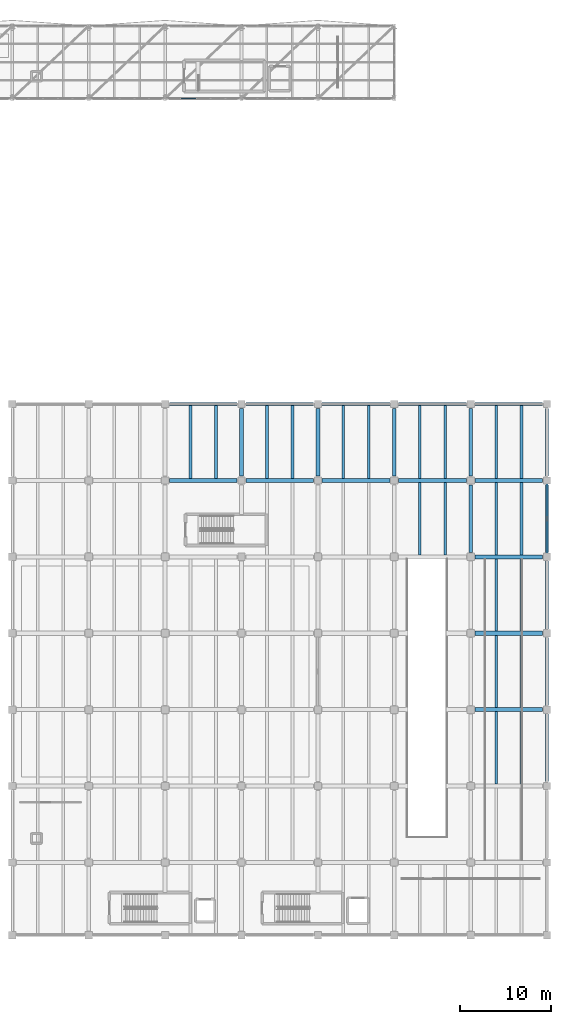
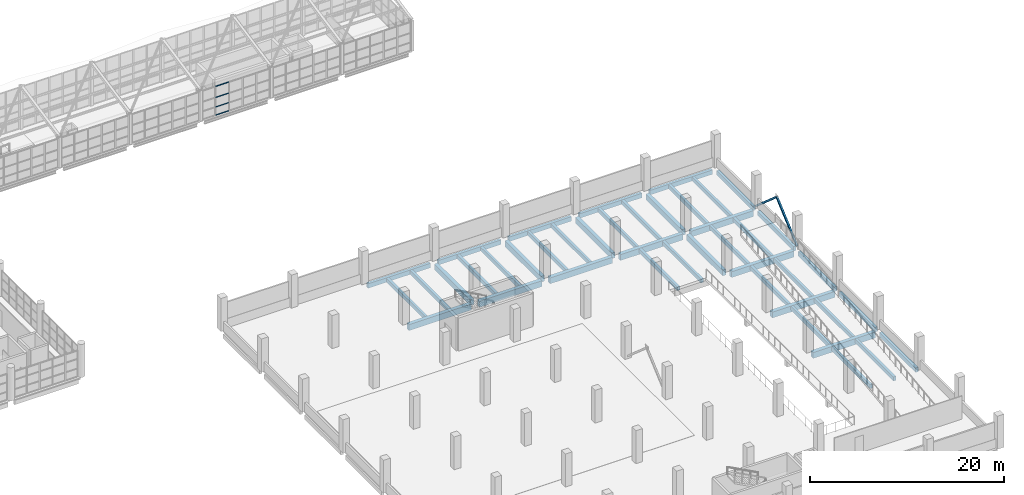
# One storey, part 113 of 177: 43 beams, 6 members, 1 element without a shape of its own.
"""IFC4 building model written with IfcOpenShell, lengths in metres."""

from ifc_helpers import new_model, si_unit, direction, frame, origin, origin_2d, place, context, subcontext, project, spatial, rectangle, hollow_rectangle, extrude, material, layer, layer_set, material_profile, profile_set, type_object, element, aggregate, save


model = new_model("IFC4")

# Units and contexts
model_context = context("Model", 3, precision=1e-05, world=origin(), true_north=direction((0.0, 1.0)))
body_context = subcontext(model_context, "Body", "Model", "MODEL_VIEW")
ifc_project = project(units=[si_unit("LENGTHUNIT", "METRE"), si_unit("AREAUNIT", "SQUARE_METRE"), si_unit("VOLUMEUNIT", "CUBIC_METRE"), si_unit("PLANEANGLEUNIT", "RADIAN"), si_unit("MASSUNIT", "GRAM", prefix="KILO"), si_unit("THERMODYNAMICTEMPERATUREUNIT", "KELVIN"), si_unit("POWERUNIT", "WATT")], contexts=[model_context])

# Site, building, storey
site_placement = place(None, origin())
site = spatial("IfcSite", under=ifc_project, at=site_placement, CompositionType="ELEMENT")
building_placement = place(site_placement, origin())
building = spatial("IfcBuilding", under=site, at=building_placement, Name="Mavoryth Pier Ferry Terminal", CompositionType="ELEMENT")
storey_placement = place(building_placement, frame((0.0, 0.0, 5.43994140625)))
storey = spatial("IfcBuildingStorey", under=building, at=storey_placement, Name="L01", CompositionType="ELEMENT", Elevation=5.43994140625)

# Members
ifc_material_1 = material(Name="Steel S355J2", Category="steel")
ifc_material_profile_1 = material_profile(ifc_material_1, hollow_rectangle(XDim=0.219970703125, YDim=0.219970703125, WallThickness=0.012451171875, InnerFilletRadius=0.012451171875, OuterFilletRadius=0.02490234375, at=origin_2d()), Name="RHS 220x220x12.5", Category="steel")
ifc_profile_set_1 = profile_set([ifc_material_profile_1], Name="Steel S355J2 - RHS 220x220x12.5")
member_type_1 = type_object("IfcMemberType", Name="Brace-Box-RHS220", PredefinedType="BRACE", material=ifc_profile_set_1)
for number, where, z_axis, x_axis, name in (
    (1, (168.0, 55.60009765625, 0.0), (0.0, 0.753891827784, 0.656998563165), (-1.0, 0.0, 0.0), "Steel Member MB-L01-0320"),
    (2, (168.0, 64.0, 0.0), (0.0, -0.753891827784, 0.656998563165), (1.0, 0.0, 0.0), "Steel Member MB-L01-0321"),
):
    element("IfcMember", number, at=place(storey_placement, frame(where, z_axis=z_axis, x_axis=x_axis)), inside=storey, type_object=member_type_1, Name=name, PredefinedType="BRACE", context=body_context, shape_type="SweptSolid", body=[
        extrude(hollow_rectangle(XDim=0.219970703125, YDim=0.219970703125, WallThickness=0.012451171875, InnerFilletRadius=0.012451171875, OuterFilletRadius=0.02490234375, at=origin_2d()), origin(), (0.0, 0.0, 1.0), 5.571044921875),
    ])

# Beams
ifc_material_2 = material(Name="Concrete C35/45", Category="concrete")
ifc_material_profile_2 = material_profile(ifc_material_2, rectangle(XDim=0.419921875, YDim=0.719970703125, at=origin_2d()), Name="RC 420x720", Category="concrete")
ifc_profile_set_2 = profile_set([ifc_material_profile_2], Name="Concrete C35/45 - RC 420x720")
beam_type_1 = type_object("IfcBeamType", Name="Girder-RC-420x720", PredefinedType="BEAM", material=ifc_profile_set_2)
for number, where, z_axis, x_axis, name in (
    (3, (134.39990234375, 64.47509765625, -0.679931640625), (0.0, 1.0, 0.0), (-1.0, 0.0, 0.0), "Beam B01-BG03-0397"),
    (4, (142.800048828125, 64.47509765625, -0.679931640625), (0.0, 1.0, 0.0), (-1.0, 0.0, 0.0), "Beam B01-BG03-0404"),
    (5, (151.199951171875, 64.47509765625, -0.679931640625), (0.0, 1.0, 0.0), (-1.0, 0.0, 0.0), "Beam B01-BG03-0411"),
    (6, (159.60009765625, 56.074951171875, -0.679931640625), (0.0, 1.0, 0.0), (-1.0, 0.0, 0.0), "Beam B01-BG03-0417"),
    (7, (159.60009765625, 64.47509765625, -0.679931640625), (0.0, 1.0, 0.0), (-1.0, 0.0, 0.0), "Beam B01-BG03-0418"),
):
    element("IfcBeam", number, at=place(storey_placement, frame(where, z_axis=z_axis, x_axis=x_axis)), inside=storey, type_object=beam_type_1, Name=name, PredefinedType="BEAM", context=body_context, shape_type="SweptSolid", body=[
        extrude(rectangle(XDim=0.419921875, YDim=0.719970703125, at=origin_2d()), origin(), (0.0, 0.0, 1.0), 7.449951171875),
    ])
ifc_material_profile_3 = material_profile(ifc_material_2, rectangle(XDim=0.449951171875, YDim=0.75, at=origin_2d()), Name="RC 450x750", Category="concrete")
ifc_profile_set_3 = profile_set([ifc_material_profile_3], Name="Concrete C35/45 - RC 450x750")
beam_type_2 = type_object("IfcBeamType", Name="Girder-RC-450x750", PredefinedType="BEAM", material=ifc_profile_set_3)
for number, where, z_axis, x_axis, name in (
    (8, (160.074951171875, 38.800048828125, -0.69482421875), (1.0, 0.0, 0.0), (0.0, 1.0, 0.0), "Beam B01-BG02-0340"),
    (9, (160.074951171875, 47.199951171875, -0.69482421875), (1.0, 0.0, 0.0), (0.0, 1.0, 0.0), "Beam B01-BG02-0348"),
    (10, (160.074951171875, 55.60009765625, -0.69482421875), (1.0, 0.0, 0.0), (0.0, 1.0, 0.0), "Beam B01-BG02-0355"),
    (11, (126.47509765625, 64.0, -0.69482421875), (1.0, 0.0, 0.0), (0.0, 1.0, 0.0), "Beam B01-BG02-0358"),
    (12, (134.875, 64.0, -0.69482421875), (1.0, 0.0, 0.0), (0.0, 1.0, 0.0), "Beam B01-BG02-0359"),
):
    element("IfcBeam", number, at=place(storey_placement, frame(where, z_axis=z_axis, x_axis=x_axis)), inside=storey, type_object=beam_type_2, Name=name, PredefinedType="BEAM", context=body_context, shape_type="SweptSolid", body=[
        extrude(rectangle(XDim=0.449951171875, YDim=0.75, at=origin_2d()), origin(), (0.0, 0.0, 1.0), 7.449951171875),
    ])
beam_1_placement = place(storey_placement, frame((143.27490234375, 64.0, -0.69482421875), z_axis=(1.0, 0.0, 0.0), x_axis=(0.0, 1.0, 0.0)))
element("IfcBeam", 13, at=beam_1_placement, inside=storey, type_object=beam_type_2, Name="Beam B01-BG02-0360", PredefinedType="BEAM", context=body_context, shape_type="SweptSolid", body=[
    extrude(rectangle(XDim=0.449951171875, YDim=0.75, at=origin_2d()), origin(), (0.0, 0.0, 1.0), 7.4501953125),
])
for number, where, z_axis, x_axis, name in (
    (14, (151.675048828125, 64.0, -0.69482421875), (1.0, 0.0, 0.0), (0.0, 1.0, 0.0), "Beam B01-BG02-0361"),
    (15, (160.074951171875, 64.0, -0.69482421875), (1.0, 0.0, 0.0), (0.0, 1.0, 0.0), "Beam B01-BG02-0362"),
):
    element("IfcBeam", number, at=place(storey_placement, frame(where, z_axis=z_axis, x_axis=x_axis)), inside=storey, type_object=beam_type_2, Name=name, PredefinedType="BEAM", context=body_context, shape_type="SweptSolid", body=[
        extrude(rectangle(XDim=0.449951171875, YDim=0.75, at=origin_2d()), origin(), (0.0, 0.0, 1.0), 7.449951171875),
    ])
ifc_material_profile_4 = material_profile(ifc_material_2, rectangle(XDim=0.300048828125, YDim=0.5, at=origin_2d()), Name="RC 300x500", Category="concrete")
ifc_profile_set_4 = profile_set([ifc_material_profile_4], Name="Concrete C35/45 - RC 300x500")
beam_type_3 = type_object("IfcBeamType", Name="Joist-RC-300x500", PredefinedType="JOIST", material=ifc_profile_set_4)
for number, where, z_axis, x_axis, name in (
    (16, (128.800048828125, 64.22509765625, -0.56982421875), (0.0, 1.0, 0.0), (-1.0, 0.0, 0.0), "Beam B01-BJ01-0462"),
    (17, (131.60009765625, 64.22509765625, -0.56982421875), (0.0, 1.0, 0.0), (-1.0, 0.0, 0.0), "Beam B01-BJ01-0463"),
    (18, (137.199951171875, 64.22509765625, -0.56982421875), (0.0, 1.0, 0.0), (-1.0, 0.0, 0.0), "Beam B01-BJ01-0474"),
    (19, (140.0, 64.22509765625, -0.56982421875), (0.0, 1.0, 0.0), (-1.0, 0.0, 0.0), "Beam B01-BJ01-0475"),
    (20, (145.60009765625, 64.22509765625, -0.56982421875), (0.0, 1.0, 0.0), (-1.0, 0.0, 0.0), "Beam B01-BJ01-0488"),
    (21, (148.39990234375, 64.22509765625, -0.56982421875), (0.0, 1.0, 0.0), (-1.0, 0.0, 0.0), "Beam B01-BJ01-0489"),
):
    element("IfcBeam", number, at=place(storey_placement, frame(where, z_axis=z_axis, x_axis=x_axis)), inside=storey, type_object=beam_type_3, Name=name, PredefinedType="JOIST", context=body_context, shape_type="SweptSolid", body=[
        extrude(rectangle(XDim=0.300048828125, YDim=0.5, at=origin_2d()), origin(), (0.0, 0.0, 1.0), 8.014892578125),
    ])
for number, where, z_axis, x_axis, name in (
    (22, (154.0, 55.824951171875, -0.56982421875), (0.0, 1.0, 0.0), (-1.0, 0.0, 0.0), "Beam B01-BJ01-0492"),
    (23, (156.800048828125, 55.824951171875, -0.56982421875), (0.0, 1.0, 0.0), (-1.0, 0.0, 0.0), "Beam B01-BJ01-0493"),
):
    element("IfcBeam", number, at=place(storey_placement, frame(where, z_axis=z_axis, x_axis=x_axis)), inside=storey, type_object=beam_type_3, Name=name, PredefinedType="JOIST", context=body_context, shape_type="SweptSolid", body=[
        extrude(rectangle(XDim=0.300048828125, YDim=0.5, at=origin_2d()), origin(), (0.0, 0.0, 1.0), 7.949951171875),
    ])
for number, where, z_axis, x_axis, name in (
    (24, (154.0, 64.22509765625, -0.56982421875), (0.0, 1.0, 0.0), (-1.0, 0.0, 0.0), "Beam B01-BJ01-0494"),
    (25, (156.800048828125, 64.22509765625, -0.56982421875), (0.0, 1.0, 0.0), (-1.0, 0.0, 0.0), "Beam B01-BJ01-0495"),
):
    element("IfcBeam", number, at=place(storey_placement, frame(where, z_axis=z_axis, x_axis=x_axis)), inside=storey, type_object=beam_type_3, Name=name, PredefinedType="JOIST", context=body_context, shape_type="SweptSolid", body=[
        extrude(rectangle(XDim=0.300048828125, YDim=0.5, at=origin_2d()), origin(), (0.0, 0.0, 1.0), 8.014892578125),
    ])
for number, where, z_axis, x_axis, name in (
    (26, (162.39990234375, 30.625, -0.56982421875), (0.0, 1.0, 0.0), (-1.0, 0.0, 0.0), "Beam B01-BJ01-0500"),
    (27, (165.199951171875, 30.625, -0.56982421875), (0.0, 1.0, 0.0), (-1.0, 0.0, 0.0), "Beam B01-BJ01-0501"),
):
    element("IfcBeam", number, at=place(storey_placement, frame(where, z_axis=z_axis, x_axis=x_axis)), inside=storey, type_object=beam_type_3, Name=name, PredefinedType="JOIST", context=body_context, shape_type="SweptSolid", body=[
        extrude(rectangle(XDim=0.300048828125, YDim=0.5, at=origin_2d()), origin(), (0.0, 0.0, 1.0), 7.949951171875),
    ])
for number, where, z_axis, x_axis, name in (
    (28, (162.39990234375, 39.02490234375, -0.56982421875), (0.0, 1.0, 0.0), (-1.0, 0.0, 0.0), "Beam B01-BJ01-0502"),
    (29, (165.199951171875, 39.02490234375, -0.56982421875), (0.0, 1.0, 0.0), (-1.0, 0.0, 0.0), "Beam B01-BJ01-0503"),
):
    element("IfcBeam", number, at=place(storey_placement, frame(where, z_axis=z_axis, x_axis=x_axis)), inside=storey, type_object=beam_type_3, Name=name, PredefinedType="JOIST", context=body_context, shape_type="SweptSolid", body=[
        extrude(rectangle(XDim=0.300048828125, YDim=0.5, at=origin_2d()), origin(), (0.0, 0.0, 1.0), 7.9501953125),
    ])
for number, where, z_axis, x_axis, name in (
    (30, (162.39990234375, 47.425048828125, -0.56982421875), (0.0, 1.0, 0.0), (-1.0, 0.0, 0.0), "Beam B01-BJ01-0504"),
    (31, (165.199951171875, 47.425048828125, -0.56982421875), (0.0, 1.0, 0.0), (-1.0, 0.0, 0.0), "Beam B01-BJ01-0505"),
    (32, (162.39990234375, 55.824951171875, -0.56982421875), (0.0, 1.0, 0.0), (-1.0, 0.0, 0.0), "Beam B01-BJ01-0506"),
    (33, (165.199951171875, 55.824951171875, -0.56982421875), (0.0, 1.0, 0.0), (-1.0, 0.0, 0.0), "Beam B01-BJ01-0507"),
):
    element("IfcBeam", number, at=place(storey_placement, frame(where, z_axis=z_axis, x_axis=x_axis)), inside=storey, type_object=beam_type_3, Name=name, PredefinedType="JOIST", context=body_context, shape_type="SweptSolid", body=[
        extrude(rectangle(XDim=0.300048828125, YDim=0.5, at=origin_2d()), origin(), (0.0, 0.0, 1.0), 7.949951171875),
    ])
for number, where, z_axis, x_axis, name in (
    (34, (162.39990234375, 64.22509765625, -0.56982421875), (0.0, 1.0, 0.0), (-1.0, 0.0, 0.0), "Beam B01-BJ01-0508"),
    (35, (165.199951171875, 64.22509765625, -0.56982421875), (0.0, 1.0, 0.0), (-1.0, 0.0, 0.0), "Beam B01-BJ01-0509"),
):
    element("IfcBeam", number, at=place(storey_placement, frame(where, z_axis=z_axis, x_axis=x_axis)), inside=storey, type_object=beam_type_3, Name=name, PredefinedType="JOIST", context=body_context, shape_type="SweptSolid", body=[
        extrude(rectangle(XDim=0.300048828125, YDim=0.5, at=origin_2d()), origin(), (0.0, 0.0, 1.0), 8.014892578125),
    ])
ifc_material_profile_5 = material_profile(ifc_material_2, rectangle(XDim=0.320068359375, YDim=0.56005859375, at=origin_2d()), Name="RC 320x560", Category="concrete")
ifc_profile_set_5 = profile_set([ifc_material_profile_5], Name="Concrete C35/45 - RC 320x560")
beam_type_4 = type_object("IfcBeamType", Name="Spandrel-RC-320x560", PredefinedType="SPANDREL", material=ifc_profile_set_5)
for number, where, z_axis, x_axis, name in (
    (36, (126.47509765625, 72.39990234375, -0.599853515625), (1.0, 0.0, 0.0), (0.0, 1.0, 0.0), "Beam B01-SP01-0365"),
    (37, (134.875, 72.39990234375, -0.599853515625), (1.0, 0.0, 0.0), (0.0, 1.0, 0.0), "Beam B01-SP01-0366"),
):
    element("IfcBeam", number, at=place(storey_placement, frame(where, z_axis=z_axis, x_axis=x_axis)), inside=storey, type_object=beam_type_4, Name=name, PredefinedType="SPANDREL", context=body_context, shape_type="SweptSolid", body=[
        extrude(rectangle(XDim=0.320068359375, YDim=0.56005859375, at=origin_2d()), origin(), (0.0, 0.0, 1.0), 7.449951171875),
    ])
beam_2_placement = place(storey_placement, frame((143.27490234375, 72.39990234375, -0.599853515625), z_axis=(1.0, 0.0, 0.0), x_axis=(0.0, 1.0, 0.0)))
element("IfcBeam", 38, at=beam_2_placement, inside=storey, type_object=beam_type_4, Name="Beam B01-SP01-0367", PredefinedType="SPANDREL", context=body_context, shape_type="SweptSolid", body=[
    extrude(rectangle(XDim=0.320068359375, YDim=0.56005859375, at=origin_2d()), origin(), (0.0, 0.0, 1.0), 7.4501953125),
])
for number, where, z_axis, x_axis, name in (
    (39, (151.675048828125, 72.39990234375, -0.599853515625), (1.0, 0.0, 0.0), (0.0, 1.0, 0.0), "Beam B01-SP01-0368"),
    (40, (160.074951171875, 72.39990234375, -0.599853515625), (1.0, 0.0, 0.0), (0.0, 1.0, 0.0), "Beam B01-SP01-0369"),
    (41, (168.0, 30.875, -0.599853515625), (0.0, 1.0, 0.0), (-1.0, 0.0, 0.0), "Beam B01-SP01-0421"),
):
    element("IfcBeam", number, at=place(storey_placement, frame(where, z_axis=z_axis, x_axis=x_axis)), inside=storey, type_object=beam_type_4, Name=name, PredefinedType="SPANDREL", context=body_context, shape_type="SweptSolid", body=[
        extrude(rectangle(XDim=0.320068359375, YDim=0.56005859375, at=origin_2d()), origin(), (0.0, 0.0, 1.0), 7.449951171875),
    ])
beam_3_placement = place(storey_placement, frame((168.0, 39.27490234375, -0.599853515625), z_axis=(0.0, 1.0, 0.0), x_axis=(-1.0, 0.0, 0.0)))
element("IfcBeam", 42, at=beam_3_placement, inside=storey, type_object=beam_type_4, Name="Beam B01-SP01-0422", PredefinedType="SPANDREL", context=body_context, shape_type="SweptSolid", body=[
    extrude(rectangle(XDim=0.320068359375, YDim=0.56005859375, at=origin_2d()), origin(), (0.0, 0.0, 1.0), 7.4501953125),
])
for number, where, z_axis, x_axis, name in (
    (43, (168.0, 47.675048828125, -0.599853515625), (0.0, 1.0, 0.0), (-1.0, 0.0, 0.0), "Beam B01-SP01-0423"),
    (44, (168.0, 56.074951171875, -0.599853515625), (0.0, 1.0, 0.0), (-1.0, 0.0, 0.0), "Beam B01-SP01-0424"),
    (45, (168.0, 64.47509765625, -0.599853515625), (0.0, 1.0, 0.0), (-1.0, 0.0, 0.0), "Beam B01-SP01-0425"),
):
    element("IfcBeam", number, at=place(storey_placement, frame(where, z_axis=z_axis, x_axis=x_axis)), inside=storey, type_object=beam_type_4, Name=name, PredefinedType="SPANDREL", context=body_context, shape_type="SweptSolid", body=[
        extrude(rectangle(XDim=0.320068359375, YDim=0.56005859375, at=origin_2d()), origin(), (0.0, 0.0, 1.0), 7.449951171875),
    ])

# Curtain wall, members
ifc_material_3 = material(Name="Anodised Aluminium and Solar-Control Low-E Glass", Category="aluminium")
ifc_layer = layer(ifc_material_3, 0.139892578125, Name="Anodised Aluminium and Solar-Control Low-E Glass", Category="aluminium")
ifc_layer_set = layer_set([ifc_layer], Name="Anodised Aluminium and Solar-Control Low-E Glass - CW-Gallery-Mod1600")
curtain_wall_type = type_object("IfcCurtainWallType", Name="CW-Gallery-Mod1600", PredefinedType="USERDEFINED", material=ifc_layer_set)
curtain_wall_placement = place(storey_placement, origin())
curtain_wall = element("IfcCurtainWall", 46, at=curtain_wall_placement, inside=storey, type_object=curtain_wall_type, Name="Curtain Wall CW-0122-091", ObjectType="UNITISED CURTAIN WALL", PredefinedType="USERDEFINED")
ifc_material_4 = material(Name="Anodised Aluminium EN AW-6063", Category="aluminium")
ifc_material_profile_6 = material_profile(ifc_material_4, hollow_rectangle(XDim=0.06005859375, YDim=0.125, WallThickness=0.00390625, InnerFilletRadius=0.00390625, OuterFilletRadius=0.008056640625, at=origin_2d()), Name="AL-TRAN 125x60x4", Category="aluminium")
ifc_profile_set_6 = profile_set([ifc_material_profile_6], Name="Anodised Aluminium EN AW-6063 - AL-TRAN 125x60x4")
member_type_2 = type_object("IfcMemberType", Name="Transom-Alum-125x60", PredefinedType="USERDEFINED", material=ifc_profile_set_6)
member_1_placement = place(storey_placement, frame((127.800048828125, 106.0, 0.030029296875), z_axis=(1.0, 0.0, 0.0), x_axis=(0.0, 1.0, 0.0)))
member_1 = element("IfcMember", 47, at=member_1_placement, type_object=member_type_2, Name="CW05 transom 2.1", ObjectType="TRANSOM", PredefinedType="USERDEFINED", context=body_context, shape_type="SweptSolid", body=[
    extrude(hollow_rectangle(XDim=0.06005859375, YDim=0.125, WallThickness=0.00390625, InnerFilletRadius=0.00390625, OuterFilletRadius=0.008056640625, at=origin_2d()), origin(), (0.0, 0.0, 1.0), 1.56005859375),
])
member_2_placement = place(storey_placement, frame((127.800048828125, 106.0, 1.050048828125), z_axis=(1.0, 0.0, 0.0), x_axis=(0.0, 1.0, 0.0)))
member_2 = element("IfcMember", 48, at=member_2_placement, type_object=member_type_2, Name="CW05 transom 2.2", ObjectType="TRANSOM", PredefinedType="USERDEFINED", context=body_context, shape_type="SweptSolid", body=[
    extrude(hollow_rectangle(XDim=0.06005859375, YDim=0.125, WallThickness=0.00390625, InnerFilletRadius=0.00390625, OuterFilletRadius=0.008056640625, at=origin_2d()), origin(), (0.0, 0.0, 1.0), 1.56005859375),
])
member_3_placement = place(storey_placement, frame((127.800048828125, 106.0, 2.25), z_axis=(1.0, 0.0, 0.0), x_axis=(0.0, 1.0, 0.0)))
member_3 = element("IfcMember", 49, at=member_3_placement, type_object=member_type_2, Name="CW05 transom 2.3", ObjectType="TRANSOM", PredefinedType="USERDEFINED", context=body_context, shape_type="SweptSolid", body=[
    extrude(hollow_rectangle(XDim=0.06005859375, YDim=0.125, WallThickness=0.00390625, InnerFilletRadius=0.00390625, OuterFilletRadius=0.008056640625, at=origin_2d()), origin(), (0.0, 0.0, 1.0), 1.56005859375),
])
member_4_placement = place(storey_placement, frame((127.800048828125, 106.0, 3.630126953125), z_axis=(1.0, 0.0, 0.0), x_axis=(0.0, 1.0, 0.0)))
member_4 = element("IfcMember", 50, at=member_4_placement, type_object=member_type_2, Name="CW05 transom 2.4", ObjectType="TRANSOM", PredefinedType="USERDEFINED", context=body_context, shape_type="SweptSolid", body=[
    extrude(hollow_rectangle(XDim=0.06005859375, YDim=0.125, WallThickness=0.00390625, InnerFilletRadius=0.00390625, OuterFilletRadius=0.008056640625, at=origin_2d()), origin(), (0.0, 0.0, 1.0), 1.56005859375),
])
aggregate(curtain_wall, [member_1, member_2, member_3, member_4])

save(model, "model.ifc")
